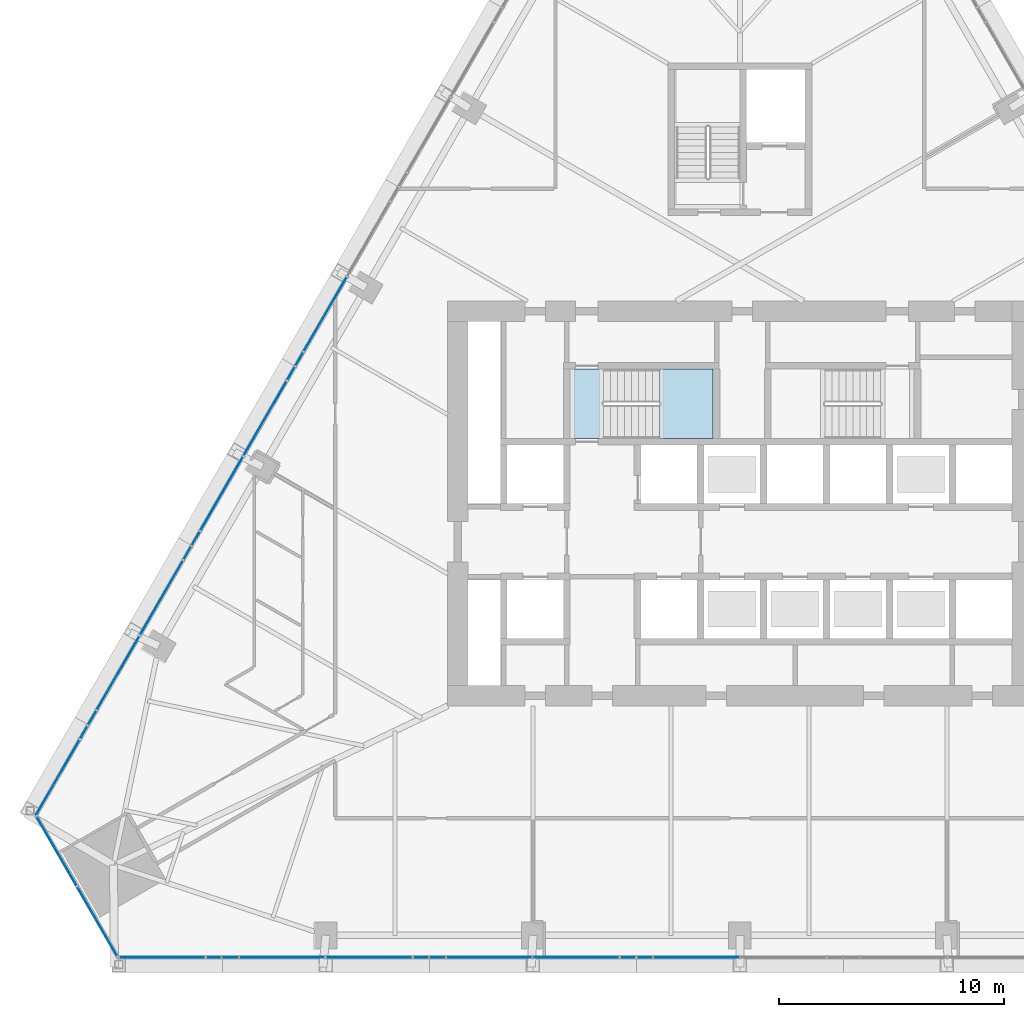
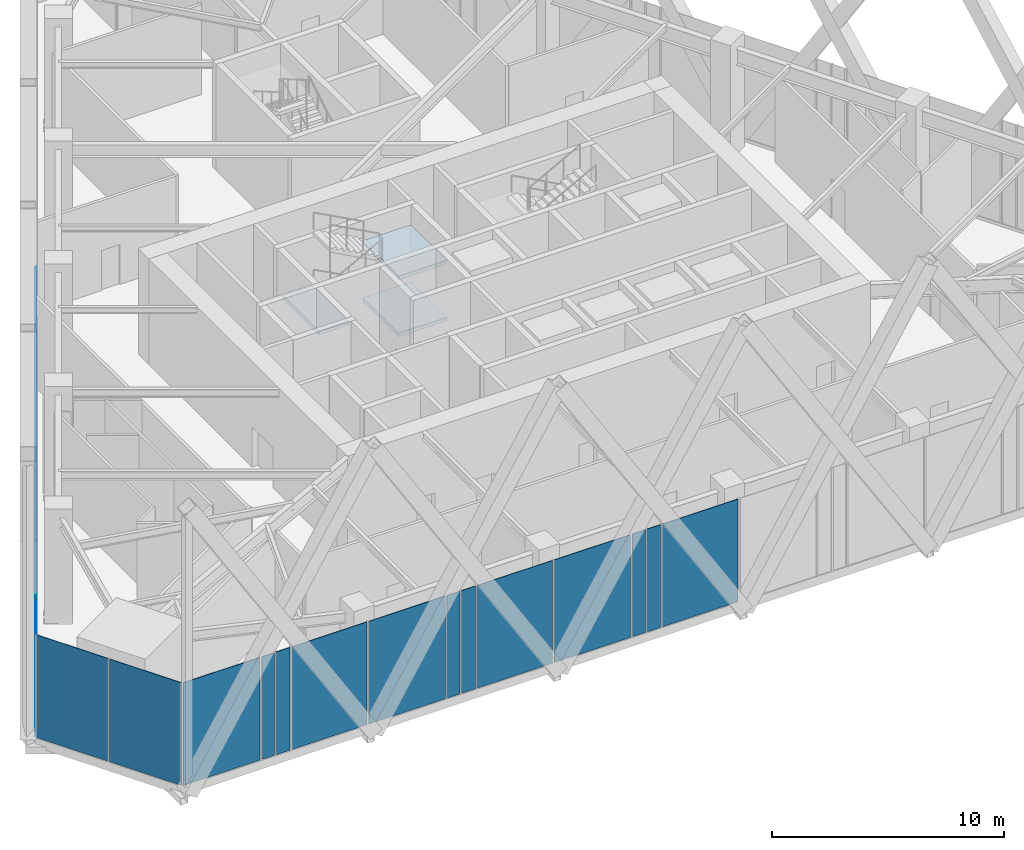
# One storey, part 11 of 21: 26 plates, 3 slabs, 4 elements without a shape of their own.
"""IFC4 building model written with IfcOpenShell, lengths in metres."""

import ifcopenshell
import ifcopenshell.guid

model = None  # the IFC model being written
_history = None  # IfcOwnerHistory: only IFC2X3 demands one
_inside = {}  # id of a spatial element -> (the spatial element, [elements in it])
_under = {}  # id of a project, library or spatial element -> (it, [spatial elements below it])
_declared = {}  # id of a project -> (the project, [libraries it declares])
_typed = {}  # id of a type object -> (the type object, [elements of that type])
_made_of = {}  # id of a material, layer set ... -> (it, [elements and type objects made of it])


def new_model(schema):
    """Start an empty IFC model of exactly this schema.

    Asked for "IFC4X3", IfcOpenShell would pick the latest addendum, in which some entities
    have other attributes; the version numbers below select the first issue.
    IFC2X3 requires an IfcOwnerHistory on every rooted entity: one is made here for all.
    """
    global model, _history
    if schema == "IFC4X3":
        model = ifcopenshell.file(schema_version=(4, 3, 0, 0))
    else:
        model = ifcopenshell.file(schema=schema)
    _inside.clear()
    _under.clear()
    _declared.clear()
    _typed.clear()
    _made_of.clear()
    _history = None
    if model.schema == "IFC2X3":
        org = make("IfcOrganization", Name="unknown")
        user = make(
            "IfcPersonAndOrganization",
            ThePerson=make("IfcPerson", FamilyName="unknown"),
            TheOrganization=org,
        )
        app = make(
            "IfcApplication",
            ApplicationDeveloper=org,
            Version="unknown",
            ApplicationFullName="unknown",
            ApplicationIdentifier="unknown",
        )
        _history = make(
            "IfcOwnerHistory",
            OwningUser=user,
            OwningApplication=app,
            ChangeAction="ADDED",
            CreationDate=0,
        )
    return model


def make(cls, **values):
    """One entity of the class cls with the attributes given. An attribute that is None is left unset."""
    return model.create_entity(
        cls, **{name: value for name, value in values.items() if value is not None}
    )


def rooted(cls, **values):
    """An entity with a GlobalId (a new one), such as an element, a storey or a relation."""
    return make(cls, GlobalId=ifcopenshell.guid.new(), OwnerHistory=_history, **values)


def si_unit(unit_type, name, prefix=None):
    """IfcSIUnit, for example si_unit("LENGTHUNIT", "METRE", prefix="MILLI")."""
    return make("IfcSIUnit", UnitType=unit_type, Prefix=prefix, Name=name)


def assignment(units):
    """IfcUnitAssignment: the units of a project."""
    return None if units is None else make("IfcUnitAssignment", Units=units)


def point(xyz):
    """IfcCartesianPoint."""
    return None if xyz is None else make("IfcCartesianPoint", Coordinates=xyz)


def direction(xyz):
    """IfcDirection."""
    return None if xyz is None else make("IfcDirection", DirectionRatios=xyz)


def frame(location, z_axis=None, x_axis=None):
    """IfcAxis2Placement3D, a coordinate frame: its origin and axes. An axis left out is left unset."""
    return make(
        "IfcAxis2Placement3D",
        Location=point(location),
        Axis=direction(z_axis),
        RefDirection=direction(x_axis),
    )


def origin():
    """The frame at (0, 0, 0) with its axes left unset."""
    return frame((0.0, 0.0, 0.0))


def place(relative_to, where):
    """IfcLocalPlacement: puts the frame where relative to a parent placement (None: the world)."""
    return make(
        "IfcLocalPlacement", PlacementRelTo=relative_to, RelativePlacement=where
    )


def context(
    kind, dimensions, precision=None, world=None, true_north=None, identifier=None
):
    """IfcGeometricRepresentationContext, for example the 3D "Model" context."""
    return make(
        "IfcGeometricRepresentationContext",
        ContextIdentifier=identifier,
        ContextType=kind,
        CoordinateSpaceDimension=dimensions,
        Precision=precision,
        WorldCoordinateSystem=world,
        TrueNorth=true_north,
    )


def subcontext(parent, identifier, kind, view, scale=None):
    """IfcGeometricRepresentationSubContext, for example "Body" below "Model"."""
    return make(
        "IfcGeometricRepresentationSubContext",
        ContextIdentifier=identifier,
        ContextType=kind,
        ParentContext=parent,
        TargetScale=scale,
        TargetView=view,
    )


def project(units=None, contexts=None):
    """IfcProject with its units and contexts."""
    return rooted(
        "IfcProject",
        Name="project",
        RepresentationContexts=contexts,
        UnitsInContext=assignment(units),
    )


def spatial(cls, under=None, at=None, **own):
    """A site, building, storey or space (cls), placed at a placement, below another one or the project."""
    s = rooted(cls, ObjectPlacement=at, **own)
    if under is not None:
        _under.setdefault(under.id(), (under, []))[1].append(s)
    return s


def polyline(points):
    """IfcPolyline through the points."""
    return make("IfcPolyline", Points=[point(p) for p in points])


def outline(outer, holes=None, kind="AREA"):
    """IfcArbitraryClosedProfileDef: a profile drawn as a closed curve; with holes, ...WithVoids."""
    if holes is None:
        return make("IfcArbitraryClosedProfileDef", ProfileType=kind, OuterCurve=outer)
    return make(
        "IfcArbitraryProfileDefWithVoids",
        ProfileType=kind,
        OuterCurve=outer,
        InnerCurves=holes,
    )


def extrude(swept, where, along, depth):
    """IfcExtrudedAreaSolid: the profile swept, set in the frame where, extruded along a direction by depth."""
    return make(
        "IfcExtrudedAreaSolid",
        SweptArea=swept,
        Position=where,
        ExtrudedDirection=direction(along),
        Depth=depth,
    )


def shape(context_of_items, identifier, shape_type, items):
    """IfcShapeRepresentation: the items that make up one representation, for example the "Body"."""
    return make(
        "IfcShapeRepresentation",
        ContextOfItems=context_of_items,
        RepresentationIdentifier=identifier,
        RepresentationType=shape_type,
        Items=items,
    )


def material(Name=None, Category=None):
    """IfcMaterial."""
    return make("IfcMaterial", Name=Name, Category=Category)


def layer(
    of_material, thickness, ventilated=None, Name=None, Category=None, Priority=None
):
    """IfcMaterialLayer: one layer of a wall or slab, of a material (None: an air gap)."""
    return make(
        "IfcMaterialLayer",
        Material=of_material,
        LayerThickness=thickness,
        IsVentilated=ventilated,
        Name=Name,
        Category=Category,
        Priority=Priority,
    )


def layer_set(layers, Name=None):
    """IfcMaterialLayerSet."""
    return make("IfcMaterialLayerSet", MaterialLayers=layers, LayerSetName=Name)


def made_of(thing, what):
    """Note that an element or type object is made of a material, layer set ...; save() writes the relation."""
    if what is not None:
        _made_of.setdefault(what.id(), (what, []))[1].append(thing)
    return thing


def type_object(cls, material=None, **own):
    """A type object (cls), such as IfcWallType, which elements share."""
    return made_of(rooted(cls, **own), material)


def element(
    cls,
    number,
    at=None,
    inside=None,
    cuts=None,
    type_object=None,
    material=None,
    context=None,
    identifier="Body",
    shape_type=None,
    held_by="IfcProductDefinitionShape",
    body=None,
    shapes=None,
    **own,
):
    """One element of the class cls, such as IfcWall. Its Tag is "e" and its number.

    at: its placement. inside: the storey or other place that contains it. cuts: it is an
    opening in that element (IfcRelVoidsElement). A single representation is given by context,
    identifier, shape_type and body (its items); several are given by shapes. held_by: the class
    of the entity that holds the representations. save() writes the other relations.
    """
    e = rooted(cls, Tag="e%d" % number, ObjectPlacement=at, **own)
    if body is not None:
        shapes = [shape(context, identifier, shape_type, body)]
    if shapes is not None:
        e.Representation = make(held_by, Representations=shapes)
    if inside is not None:
        _inside.setdefault(inside.id(), (inside, []))[1].append(e)
    if cuts is not None:
        rooted(
            "IfcRelVoidsElement", RelatingBuildingElement=cuts, RelatedOpeningElement=e
        )
    if type_object is not None:
        _typed.setdefault(type_object.id(), (type_object, []))[1].append(e)
    return made_of(e, material)


def aggregate(whole, parts):
    """IfcRelAggregates: a whole, such as a stair, and the parts it consists of."""
    return rooted("IfcRelAggregates", RelatingObject=whole, RelatedObjects=parts)


def save(model, path):
    """Write the relations noted so far, then the file.

    IfcRelAggregates (storeys below a building ...), IfcRelContainedInSpatialStructure (elements
    in a storey), IfcRelDefinesByType, IfcRelAssociatesMaterial and IfcRelDeclares: one each for
    every whole, place, type object, material and project.
    """
    for whole, parts in _under.values():
        aggregate(whole, parts)
    for where, things in _inside.values():
        rooted(
            "IfcRelContainedInSpatialStructure",
            RelatedElements=things,
            RelatingStructure=where,
        )
    for kind, things in _typed.values():
        rooted("IfcRelDefinesByType", RelatedObjects=things, RelatingType=kind)
    for what, things in _made_of.values():
        rooted("IfcRelAssociatesMaterial", RelatedObjects=things, RelatingMaterial=what)
    for by, libraries in _declared.values():
        rooted("IfcRelDeclares", RelatingContext=by, RelatedDefinitions=libraries)
    model.write(path)


model = new_model("IFC4")

# Units and contexts
model_context = context("Model", 3, precision=1e-05, world=origin(), true_north=direction((0.0, 1.0)))
body_context = subcontext(model_context, "Body", "Model", "MODEL_VIEW")
ifc_project = project(units=[si_unit("LENGTHUNIT", "METRE"), si_unit("AREAUNIT", "SQUARE_METRE"), si_unit("VOLUMEUNIT", "CUBIC_METRE"), si_unit("PLANEANGLEUNIT", "RADIAN"), si_unit("MASSUNIT", "GRAM", prefix="KILO")], contexts=[model_context])

# Site, building, storey
site_placement = place(None, origin())
site = spatial("IfcSite", under=ifc_project, at=site_placement, CompositionType="ELEMENT")
building_placement = place(site_placement, origin())
building = spatial("IfcBuilding", under=site, at=building_placement, Name="Firuza Gate Tower and Library", CompositionType="ELEMENT")
storey_placement = place(building_placement, frame((0.0, 0.0, 140.800048828125)))
storey = spatial("IfcBuildingStorey", under=building, at=storey_placement, Name="L32", CompositionType="ELEMENT", Elevation=140.800048828125)

# Curtain wall, plates
ifc_material_1 = material(Name="Aluminium 6063-T6", Category="aluminium")
ifc_layer_1 = layer(ifc_material_1, 0.14990234375)
ifc_layer_set_1 = layer_set([ifc_layer_1], Name="Corner curtain wall, chamfers")
curtain_wall_type_1 = type_object("IfcCurtainWallType", Name="Corner curtain wall, chamfers", PredefinedType="NOTDEFINED", material=ifc_layer_set_1)
placement = place(storey_placement, origin())
curtain_wall_1 = element("IfcCurtainWall", 1, at=placement, inside=storey, type_object=curtain_wall_type_1, Name="CW4 L32 SW corner", PredefinedType="NOTDEFINED")
ifc_material_2 = material(Name="Fritted glass", Category="glass")
ifc_layer_2 = layer(ifc_material_2, 0.030029296875)
ifc_layer_set_2 = layer_set([ifc_layer_2], Name="Fritted glass unit, corners")
plate_type_1 = type_object("IfcPlateType", Name="Fritted glass unit, corners", PredefinedType="CURTAIN_PANEL", material=ifc_layer_set_2)
plate_1_placement = place(storey_placement, frame((43.7001953125, 61.08984375, 0.14990234375), z_axis=(-0.866016723041, -0.500015035186, 0.0), x_axis=(0.500015035186, -0.866016723041, 0.0)))
plate_1 = element("IfcPlate", 2, at=plate_1_placement, type_object=plate_type_1, Name="Glass unit", PredefinedType="CURTAIN_PANEL", context=body_context, shape_type="SweptSolid", body=[
    extrude(outline(polyline([(0.0, 0.0), (3.5633694106530625, 0.0), (3.5633694106530625, 5.400146484375), (0.0, 5.400146484375), (0.0, 0.0)])), origin(), (0.0, 0.0, -1.0), 0.030029296875),
])
plate_2_placement = place(storey_placement, frame((45.521728515625, 57.9345703125, 0.14990234375), z_axis=(-0.866016723041, -0.500015035186, 0.0), x_axis=(0.500015035186, -0.866016723041, 0.0)))
plate_2 = element("IfcPlate", 3, at=plate_2_placement, type_object=plate_type_1, Name="Glass unit", PredefinedType="CURTAIN_PANEL", context=body_context, shape_type="SweptSolid", body=[
    extrude(outline(polyline([(0.0, 0.0), (3.5633694106530625, 0.0), (3.5633694106530625, 5.400146484375), (0.0, 5.400146484375), (0.0, 0.0)])), origin(), (0.0, 0.0, -1.0), 0.030029296875),
])
aggregate(curtain_wall_1, [plate_1, plate_2])

ifc_material_3 = material(Name="Aluminium 6063-T6", Category="aluminium")
ifc_layer_3 = layer(ifc_material_3, 0.14990234375)
ifc_layer_set_3 = layer_set([ifc_layer_3], Name="Unitised curtain wall, offices")
curtain_wall_type_2 = type_object("IfcCurtainWallType", Name="Unitised curtain wall, offices", PredefinedType="NOTDEFINED", material=ifc_layer_set_3)
curtain_wall_2 = element("IfcCurtainWall", 4, at=placement, inside=storey, type_object=curtain_wall_type_2, Name="CW1 L32 S face", PredefinedType="NOTDEFINED")
ifc_material_4 = material(Name="Fritted glass", Category="glass")
ifc_layer_4 = layer(ifc_material_4, 0.030029296875)
ifc_layer_set_4 = layer_set([ifc_layer_4], Name="Fritted glass unit, offices")
plate_type_2 = type_object("IfcPlateType", Name="Fritted glass unit, offices", PredefinedType="CURTAIN_PANEL", material=ifc_layer_set_4)
plate_3_placement = place(storey_placement, frame((51.281982421875, 54.806640625, 0.14990234375), z_axis=(0.0, -1.0, 0.0), x_axis=(1.0, 0.0, 0.0)))
plate_3 = element("IfcPlate", 5, at=plate_3_placement, type_object=plate_type_2, Name="Glass unit", PredefinedType="CURTAIN_PANEL", context=body_context, shape_type="SweptSolid", body=[
    extrude(outline(polyline([(0.0, 0.0), (0.625, 0.0), (0.625, 5.400146484375), (0.0, 5.400146484375), (0.0, 0.0)])), origin(), (0.0, 0.0, -1.0), 0.030029296875),
])
plate_4_placement = place(storey_placement, frame((51.987060546875, 54.806640625, 0.14990234375), z_axis=(0.0, -1.0, 0.0), x_axis=(1.0, 0.0, 0.0)))
plate_4 = element("IfcPlate", 6, at=plate_4_placement, type_object=plate_type_2, Name="Glass unit", PredefinedType="CURTAIN_PANEL", context=body_context, shape_type="SweptSolid", body=[
    extrude(outline(polyline([(0.0, 0.0), (0.697265625, 0.0), (0.697265625, 5.400146484375), (0.0, 5.400146484375), (0.0, 0.0)])), origin(), (0.0, 0.0, -1.0), 0.030029296875),
])
plate_5_placement = place(storey_placement, frame((60.48876953125, 54.806640625, 0.14990234375), z_axis=(0.0, -1.0, 0.0), x_axis=(1.0, 0.0, 0.0)))
plate_5 = element("IfcPlate", 7, at=plate_5_placement, type_object=plate_type_2, Name="Glass unit", PredefinedType="CURTAIN_PANEL", context=body_context, shape_type="SweptSolid", body=[
    extrude(outline(polyline([(0.0, 0.0), (0.639404296875, 0.0), (0.639404296875, 5.400146484375), (0.0, 5.400146484375), (0.0, 0.0)])), origin(), (0.0, 0.0, -1.0), 0.030029296875),
])
plate_6_placement = place(storey_placement, frame((61.208251953125, 54.806640625, 0.14990234375), z_axis=(0.0, -1.0, 0.0), x_axis=(1.0, 0.0, 0.0)))
plate_6 = element("IfcPlate", 8, at=plate_6_placement, type_object=plate_type_2, Name="Glass unit", PredefinedType="CURTAIN_PANEL", context=body_context, shape_type="SweptSolid", body=[
    extrude(outline(polyline([(0.0, 0.0), (0.682861328125, 0.0), (0.682861328125, 5.400146484375), (0.0, 5.400146484375), (0.0, 0.0)])), origin(), (0.0, 0.0, -1.0), 0.030029296875),
])
plate_7_placement = place(storey_placement, frame((69.6953125, 54.806640625, 0.14990234375), z_axis=(0.0, -1.0, 0.0), x_axis=(1.0, 0.0, 0.0)))
plate_7 = element("IfcPlate", 9, at=plate_7_placement, type_object=plate_type_2, Name="Glass unit", PredefinedType="CURTAIN_PANEL", context=body_context, shape_type="SweptSolid", body=[
    extrude(outline(polyline([(0.0, 0.0), (0.654052734375, 0.0), (0.654052734375, 5.400146484375), (0.0, 5.400146484375), (0.0, 0.0)])), origin(), (0.0, 0.0, -1.0), 0.030029296875),
])
plate_8_placement = place(storey_placement, frame((70.429443359375, 54.806640625, 0.14990234375), z_axis=(0.0, -1.0, 0.0), x_axis=(1.0, 0.0, 0.0)))
plate_8 = element("IfcPlate", 10, at=plate_8_placement, type_object=plate_type_2, Name="Glass unit", PredefinedType="CURTAIN_PANEL", context=body_context, shape_type="SweptSolid", body=[
    extrude(outline(polyline([(0.0, 0.0), (0.66845703125, 0.0), (0.66845703125, 5.400146484375), (0.0, 5.400146484375), (0.0, 0.0)])), origin(), (0.0, 0.0, -1.0), 0.030029296875),
])

curtain_wall_3 = element("IfcCurtainWall", 11, at=placement, inside=storey, type_object=curtain_wall_type_2, Name="CW1 L32 W face", PredefinedType="NOTDEFINED")
plate_9_placement = place(storey_placement, frame((55.560791015625, 81.71728515625, 0.14990234375), z_axis=(-0.86600919026, 0.500028081597, 0.0), x_axis=(-0.500028081597, -0.86600919026, 0.0)))
plate_9 = element("IfcPlate", 12, at=plate_9_placement, type_object=plate_type_2, Name="Glass unit", PredefinedType="CURTAIN_PANEL", context=body_context, shape_type="SweptSolid", body=[
    extrude(outline(polyline([(0.0, 0.0), (0.6684194906768225, 0.0), (0.6684194906768225, 5.400146484375), (0.0, 5.400146484375), (0.0, 0.0)])), origin(), (0.0, 0.0, -1.0), 0.030029296875),
])
plate_10_placement = place(storey_placement, frame((55.186767578125, 81.069091796875, 0.14990234375), z_axis=(-0.865843507976, 0.500314920521, 0.0), x_axis=(-0.500314920521, -0.865843507976, 0.0)))
plate_10 = element("IfcPlate", 13, at=plate_10_placement, type_object=plate_type_2, Name="Glass unit", PredefinedType="CURTAIN_PANEL", context=body_context, shape_type="SweptSolid", body=[
    extrude(outline(polyline([(0.0, 0.0), (0.6538850313706843, 0.0), (0.6538850313706843, 5.400146484375), (0.0, 5.400146484375), (0.0, 0.0)])), origin(), (0.0, 0.0, -1.0), 0.030029296875),
])
plate_11_placement = place(storey_placement, frame((50.95751953125, 73.744140625, 0.14990234375), z_axis=(-0.865923573687, 0.500176333439, 0.0), x_axis=(-0.500176333439, -0.865923573687, 0.0)))
plate_11 = element("IfcPlate", 14, at=plate_11_placement, type_object=plate_type_2, Name="Glass unit", PredefinedType="CURTAIN_PANEL", context=body_context, shape_type="SweptSolid", body=[
    extrude(outline(polyline([(0.0, 0.0), (0.6828646450078095, 0.0), (0.6828646450078095, 5.400146484375), (0.0, 5.400146484375), (0.0, 0.0)])), origin(), (0.0, 0.0, -1.0), 0.030029296875),
])
plate_12_placement = place(storey_placement, frame((50.576171875, 73.08349609375, 0.14990234375), z_axis=(-0.866026686418, 0.499997778408, 0.0), x_axis=(-0.499997778408, -0.866026686418, 0.0)))
plate_12 = element("IfcPlate", 15, at=plate_12_placement, type_object=plate_type_2, Name="Glass unit", PredefinedType="CURTAIN_PANEL", context=body_context, shape_type="SweptSolid", body=[
    extrude(outline(polyline([(0.0, 0.0), (0.639651279588748, 0.0), (0.639651279588748, 5.400146484375), (0.0, 5.400146484375), (0.0, 0.0)])), origin(), (0.0, 0.0, -1.0), 0.030029296875),
])
plate_13_placement = place(storey_placement, frame((46.35400390625, 65.770751953125, 0.14990234375), z_axis=(-0.865993137065, 0.500055883433, 0.0), x_axis=(-0.500055883433, -0.865993137065, 0.0)))
plate_13 = element("IfcPlate", 16, at=plate_13_placement, type_object=plate_type_2, Name="Glass unit", PredefinedType="CURTAIN_PANEL", context=body_context, shape_type="SweptSolid", body=[
    extrude(outline(polyline([(0.0, 0.0), (0.6971877025157681, 0.0), (0.6971877025157681, 5.400146484375), (0.0, 5.400146484375), (0.0, 0.0)])), origin(), (0.0, 0.0, -1.0), 0.030029296875),
])
plate_14_placement = place(storey_placement, frame((45.965576171875, 65.09765625, 0.14990234375), z_axis=(-0.865853794588, 0.500297118118, 0.0), x_axis=(-0.500297118118, -0.865853794588, 0.0)))
plate_14 = element("IfcPlate", 17, at=plate_14_placement, type_object=plate_type_2, Name="Glass unit", PredefinedType="CURTAIN_PANEL", context=body_context, shape_type="SweptSolid", body=[
    extrude(outline(polyline([(0.0, 0.0), (0.6251168141873162, 0.0), (0.6251168141873162, 5.400146484375), (0.0, 5.400146484375), (0.0, 0.0)])), origin(), (0.0, 0.0, -1.0), 0.030029296875),
])

# Plate
ifc_material_5 = material(Name="Glazed ceramic tile")
ifc_layer_5 = layer(ifc_material_5, 0.030029296875)
ifc_layer_set_5 = layer_set([ifc_layer_5], Name="Opaque ceramic panel, offices")
plate_type_3 = type_object("IfcPlateType", Name="Opaque ceramic panel, offices", PredefinedType="CURTAIN_PANEL", material=ifc_layer_set_5)
plate_15_placement = place(storey_placement, frame((47.37646484375, 54.806640625, 0.14990234375), z_axis=(0.0, -1.0, 0.0), x_axis=(1.0, 0.0, 0.0)))
plate_15 = element("IfcPlate", 18, at=plate_15_placement, type_object=plate_type_3, Name="Opaque ceramic panel", PredefinedType="CURTAIN_PANEL", context=body_context, shape_type="SweptSolid", body=[
    extrude(outline(polyline([(0.0, 0.0), (3.825439453125, 0.0), (3.825439453125, 5.400146484375), (0.0, 5.400146484375), (0.0, 0.0)])), origin(), (0.0, 0.0, -1.0), 0.030029296875),
])

plate_16_placement = place(storey_placement, frame((52.764404296875, 54.806640625, 0.14990234375), z_axis=(0.0, -1.0, 0.0), x_axis=(1.0, 0.0, 0.0)))
plate_16 = element("IfcPlate", 19, at=plate_16_placement, type_object=plate_type_3, Name="Opaque ceramic panel", PredefinedType="CURTAIN_PANEL", context=body_context, shape_type="SweptSolid", body=[
    extrude(outline(polyline([(0.0, 0.0), (3.753173828125, 0.0), (3.753173828125, 5.400146484375), (0.0, 5.400146484375), (0.0, 0.0)])), origin(), (0.0, 0.0, -1.0), 0.030029296875),
])

plate_17_placement = place(storey_placement, frame((56.59765625, 54.806640625, 0.14990234375), z_axis=(0.0, -1.0, 0.0), x_axis=(1.0, 0.0, 0.0)))
plate_17 = element("IfcPlate", 20, at=plate_17_placement, type_object=plate_type_3, Name="Opaque ceramic panel", PredefinedType="CURTAIN_PANEL", context=body_context, shape_type="SweptSolid", body=[
    extrude(outline(polyline([(0.0, 0.0), (3.81103515625, 0.0), (3.81103515625, 5.400146484375), (0.0, 5.400146484375), (0.0, 0.0)])), origin(), (0.0, 0.0, -1.0), 0.030029296875),
])

plate_18_placement = place(storey_placement, frame((61.97119140625, 54.806640625, 0.14990234375), z_axis=(0.0, -1.0, 0.0), x_axis=(1.0, 0.0, 0.0)))
plate_18 = element("IfcPlate", 21, at=plate_18_placement, type_object=plate_type_3, Name="Opaque ceramic panel", PredefinedType="CURTAIN_PANEL", context=body_context, shape_type="SweptSolid", body=[
    extrude(outline(polyline([(0.0, 0.0), (3.767578125, 0.0), (3.767578125, 5.400146484375), (0.0, 5.400146484375), (0.0, 0.0)])), origin(), (0.0, 0.0, -1.0), 0.030029296875),
])

plate_19_placement = place(storey_placement, frame((65.81884765625, 54.806640625, 0.14990234375), z_axis=(0.0, -1.0, 0.0), x_axis=(1.0, 0.0, 0.0)))
plate_19 = element("IfcPlate", 22, at=plate_19_placement, type_object=plate_type_3, Name="Opaque ceramic panel", PredefinedType="CURTAIN_PANEL", context=body_context, shape_type="SweptSolid", body=[
    extrude(outline(polyline([(0.0, 0.0), (3.796630859375, 0.0), (3.796630859375, 5.400146484375), (0.0, 5.400146484375), (0.0, 0.0)])), origin(), (0.0, 0.0, -1.0), 0.030029296875),
])

plate_20_placement = place(storey_placement, frame((71.177734375, 54.806640625, 0.14990234375), z_axis=(0.0, -1.0, 0.0), x_axis=(1.0, 0.0, 0.0)))
plate_20 = element("IfcPlate", 23, at=plate_20_placement, type_object=plate_type_3, Name="Opaque ceramic panel", PredefinedType="CURTAIN_PANEL", context=body_context, shape_type="SweptSolid", body=[
    extrude(outline(polyline([(0.0, 0.0), (3.7822265625, 0.0), (3.7822265625, 5.400146484375), (0.0, 5.400146484375), (0.0, 0.0)])), origin(), (0.0, 0.0, -1.0), 0.030029296875),
])

aggregate(curtain_wall_2, [plate_15, plate_3, plate_4, plate_16, plate_17, plate_5, plate_6, plate_18, plate_19, plate_7, plate_8, plate_20])

plate_21_placement = place(storey_placement, frame((57.491943359375, 85.06201171875, 0.14990234375), z_axis=(-0.866017890655, 0.500013012896, 0.0), x_axis=(-0.500013012896, -0.866017890655, 0.0)))
plate_21 = element("IfcPlate", 24, at=plate_21_placement, type_object=plate_type_3, Name="Opaque ceramic panel", PredefinedType="CURTAIN_PANEL", context=body_context, shape_type="SweptSolid", body=[
    extrude(outline(polyline([(0.0, 0.0), (3.782128129619359, 0.0), (3.782128129619359, 5.400146484375001), (0.0, 5.400146484375001), (0.0, 0.0)])), origin(), (0.0, 0.0, -1.0), 0.030029296875),
])

plate_22_placement = place(storey_placement, frame((54.819580078125, 80.43359375, 0.14990234375), z_axis=(-0.866046381741, 0.499963663353, 0.0), x_axis=(-0.499963663353, -0.866046381741, 0.0)))
plate_22 = element("IfcPlate", 25, at=plate_22_placement, type_object=plate_type_3, Name="Opaque ceramic panel", PredefinedType="CURTAIN_PANEL", context=body_context, shape_type="SweptSolid", body=[
    extrude(outline(polyline([(0.0, 0.0), (3.796662634730745, 0.0), (3.796662634730745, 5.400146484375), (0.0, 5.400146484375), (0.0, 0.0)])), origin(), (0.0, 0.0, -1.0), 0.030029296875),
])

plate_23_placement = place(storey_placement, frame((52.88134765625, 77.076416015625, 0.14990234375), z_axis=(-0.866033438195, 0.499986083735, 0.0), x_axis=(-0.499986083735, -0.866033438195, 0.0)))
plate_23 = element("IfcPlate", 26, at=plate_23_placement, type_object=plate_type_3, Name="Opaque ceramic panel", PredefinedType="CURTAIN_PANEL", context=body_context, shape_type="SweptSolid", body=[
    extrude(outline(polyline([(0.0, 0.0), (3.7676829891531884, 0.0), (3.7676829891531884, 5.400146484375), (0.0, 5.400146484375), (0.0, 0.0)])), origin(), (0.0, 0.0, -1.0), 0.030029296875),
])

plate_24_placement = place(storey_placement, frame((50.21630859375, 72.460205078125, 0.14990234375), z_axis=(-0.866014888266, 0.500018212969, 0.0), x_axis=(-0.500018212969, -0.866014888266, 0.0)))
plate_24 = element("IfcPlate", 27, at=plate_24_placement, type_object=plate_type_3, Name="Opaque ceramic panel", PredefinedType="CURTAIN_PANEL", context=body_context, shape_type="SweptSolid", body=[
    extrude(outline(polyline([(0.0, 0.0), (3.8108963407739203, 0.0), (3.8108963407739203, 5.400146484375), (0.0, 5.400146484375), (0.0, 0.0)])), origin(), (0.0, 0.0, -1.0), 0.030029296875),
])

plate_25_placement = place(storey_placement, frame((48.270751953125, 69.090576171875, 0.14990234375), z_axis=(-0.866020939036, 0.500007733091, 0.0), x_axis=(-0.500007733091, -0.866020939036, 0.0)))
plate_25 = element("IfcPlate", 28, at=plate_25_placement, type_object=plate_type_3, Name="Opaque ceramic panel", PredefinedType="CURTAIN_PANEL", context=body_context, shape_type="SweptSolid", body=[
    extrude(outline(polyline([(0.0, 0.0), (3.753359918603254, 0.0), (3.753359918603254, 5.400146484375), (0.0, 5.400146484375), (0.0, 0.0)])), origin(), (0.0, 0.0, -1.0), 0.030029296875),
])

plate_26_placement = place(storey_placement, frame((45.61279296875, 64.487060546875, 0.14990234375), z_axis=(-0.866043176803, 0.499969214965, 0.0), x_axis=(-0.499969214965, -0.866043176803, 0.0)))
plate_26 = element("IfcPlate", 29, at=plate_26_placement, type_object=plate_type_3, Name="Opaque ceramic panel", PredefinedType="CURTAIN_PANEL", context=body_context, shape_type="SweptSolid", body=[
    extrude(outline(polyline([(0.0, 0.0), (3.8254308445445493, 0.0), (3.8254308445445493, 5.400146484375), (0.0, 5.400146484375), (0.0, 0.0)])), origin(), (0.0, 0.0, -1.0), 0.030029296875),
])

aggregate(curtain_wall_3, [plate_21, plate_9, plate_10, plate_22, plate_23, plate_11, plate_12, plate_24, plate_25, plate_13, plate_14, plate_26])

# Stair, slabs
ifc_material_6 = material(Name="Concrete C35/45", Category="concrete")
stair_type = type_object("IfcStairType", Name="Exit stair ST6", PredefinedType="HALF_TURN_STAIR", material=ifc_material_6)
stair = element("IfcStair", 30, at=placement, inside=storey, type_object=stair_type, Name="L32 Stair ST1", PredefinedType="HALF_TURN_STAIR")
ifc_material_7 = material(Name="Concrete C35/45", Category="concrete")
ifc_layer_6 = layer(ifc_material_7, 0.199951171875)
ifc_layer_set_6 = layer_set([ifc_layer_6], Name="Stair landing 200")
slab_type = type_object("IfcSlabType", Name="Stair landing 200", PredefinedType="LANDING", material=ifc_layer_set_6)
slab_1_placement = place(storey_placement, frame((0.0, 0.0, 1.300048828125)))
slab_1 = element("IfcSlab", 31, at=slab_1_placement, type_object=slab_type, Name="ST1 landing 1", PredefinedType="LANDING", context=body_context, shape_type="SweptSolid", body=[
    extrude(outline(polyline([(71.419921875, 77.89990234375), (73.81005859375, 77.89990234375), (73.81005859375, 80.97998046875), (71.419921875, 80.97998046875), (71.419921875, 77.89990234375)])), origin(), (0.0, 0.0, 1.0), 0.199951171875),
])
slab_2_placement = place(storey_placement, frame((0.0, 0.0, 2.800048828125)))
slab_2 = element("IfcSlab", 32, at=slab_2_placement, type_object=slab_type, Name="ST1 landing 2", PredefinedType="LANDING", context=body_context, shape_type="SweptSolid", body=[
    extrude(outline(polyline([(67.449951171875, 77.89990234375), (68.93994140625, 77.89990234375), (68.93994140625, 80.97998046875), (67.449951171875, 80.97998046875), (67.449951171875, 77.89990234375)])), origin(), (0.0, 0.0, 1.0), 0.199951171875),
])
slab_3_placement = place(storey_placement, frame((0.0, 0.0, 4.300048828125)))
slab_3 = element("IfcSlab", 33, at=slab_3_placement, type_object=slab_type, Name="ST1 landing 3", PredefinedType="LANDING", context=body_context, shape_type="SweptSolid", body=[
    extrude(outline(polyline([(71.419921875, 77.89990234375), (73.81005859375, 77.89990234375), (73.81005859375, 80.97998046875), (71.419921875, 80.97998046875), (71.419921875, 77.89990234375)])), origin(), (0.0, 0.0, 1.0), 0.199951171875),
])
aggregate(stair, [slab_1, slab_2, slab_3])

save(model, "model.ifc")
